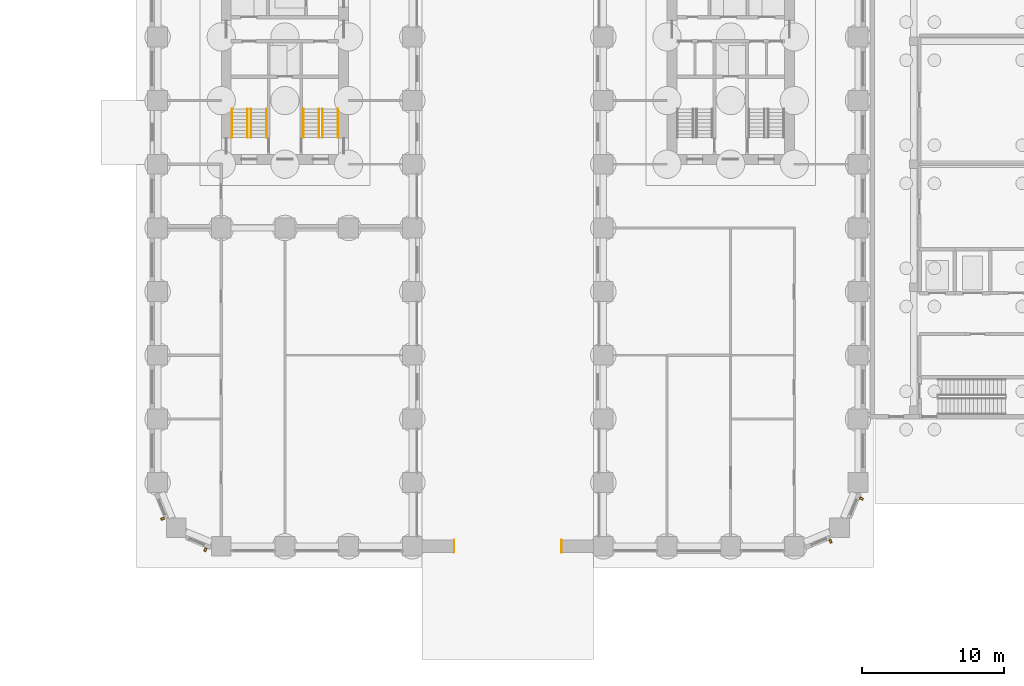
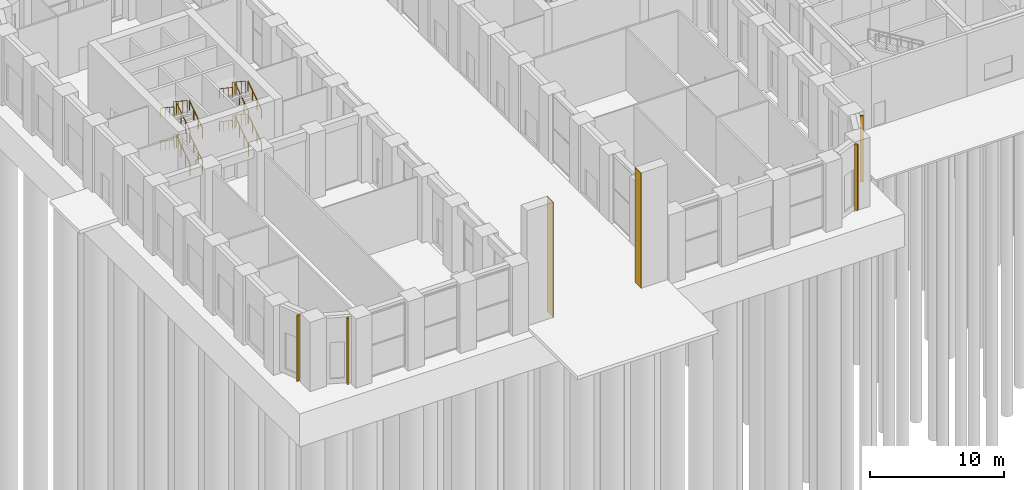
# One storey, part 24 of 31: 16 railings, 4 shading devices, 2 coverings.
"""IFC4 building model written with IfcOpenShell, lengths in metres."""

import ifcopenshell
import ifcopenshell.guid

model = None  # the IFC model being written
_history = None  # IfcOwnerHistory: only IFC2X3 demands one
_inside = {}  # id of a spatial element -> (the spatial element, [elements in it])
_under = {}  # id of a project, library or spatial element -> (it, [spatial elements below it])
_declared = {}  # id of a project -> (the project, [libraries it declares])
_typed = {}  # id of a type object -> (the type object, [elements of that type])
_made_of = {}  # id of a material, layer set ... -> (it, [elements and type objects made of it])


def new_model(schema):
    """Start an empty IFC model of exactly this schema.

    Asked for "IFC4X3", IfcOpenShell would pick the latest addendum, in which some entities
    have other attributes; the version numbers below select the first issue.
    IFC2X3 requires an IfcOwnerHistory on every rooted entity: one is made here for all.
    """
    global model, _history
    if schema == "IFC4X3":
        model = ifcopenshell.file(schema_version=(4, 3, 0, 0))
    else:
        model = ifcopenshell.file(schema=schema)
    _inside.clear()
    _under.clear()
    _declared.clear()
    _typed.clear()
    _made_of.clear()
    _history = None
    if model.schema == "IFC2X3":
        org = make("IfcOrganization", Name="unknown")
        user = make(
            "IfcPersonAndOrganization",
            ThePerson=make("IfcPerson", FamilyName="unknown"),
            TheOrganization=org,
        )
        app = make(
            "IfcApplication",
            ApplicationDeveloper=org,
            Version="unknown",
            ApplicationFullName="unknown",
            ApplicationIdentifier="unknown",
        )
        _history = make(
            "IfcOwnerHistory",
            OwningUser=user,
            OwningApplication=app,
            ChangeAction="ADDED",
            CreationDate=0,
        )
    return model


def make(cls, **values):
    """One entity of the class cls with the attributes given. An attribute that is None is left unset."""
    return model.create_entity(
        cls, **{name: value for name, value in values.items() if value is not None}
    )


def rooted(cls, **values):
    """An entity with a GlobalId (a new one), such as an element, a storey or a relation."""
    return make(cls, GlobalId=ifcopenshell.guid.new(), OwnerHistory=_history, **values)


def si_unit(unit_type, name, prefix=None):
    """IfcSIUnit, for example si_unit("LENGTHUNIT", "METRE", prefix="MILLI")."""
    return make("IfcSIUnit", UnitType=unit_type, Prefix=prefix, Name=name)


def assignment(units):
    """IfcUnitAssignment: the units of a project."""
    return None if units is None else make("IfcUnitAssignment", Units=units)


def point(xyz):
    """IfcCartesianPoint."""
    return None if xyz is None else make("IfcCartesianPoint", Coordinates=xyz)


def direction(xyz):
    """IfcDirection."""
    return None if xyz is None else make("IfcDirection", DirectionRatios=xyz)


def frame(location, z_axis=None, x_axis=None):
    """IfcAxis2Placement3D, a coordinate frame: its origin and axes. An axis left out is left unset."""
    return make(
        "IfcAxis2Placement3D",
        Location=point(location),
        Axis=direction(z_axis),
        RefDirection=direction(x_axis),
    )


def frame_2d(location, x_axis=None):
    """IfcAxis2Placement2D, a coordinate frame in the plane: its origin and x axis."""
    return make(
        "IfcAxis2Placement2D", Location=point(location), RefDirection=direction(x_axis)
    )


def origin():
    """The frame at (0, 0, 0) with its axes left unset."""
    return frame((0.0, 0.0, 0.0))


def origin_2d():
    """The frame at (0, 0) in the plane with its x axis left unset."""
    return frame_2d((0.0, 0.0))


def place(relative_to, where):
    """IfcLocalPlacement: puts the frame where relative to a parent placement (None: the world)."""
    return make(
        "IfcLocalPlacement", PlacementRelTo=relative_to, RelativePlacement=where
    )


def context(
    kind, dimensions, precision=None, world=None, true_north=None, identifier=None
):
    """IfcGeometricRepresentationContext, for example the 3D "Model" context."""
    return make(
        "IfcGeometricRepresentationContext",
        ContextIdentifier=identifier,
        ContextType=kind,
        CoordinateSpaceDimension=dimensions,
        Precision=precision,
        WorldCoordinateSystem=world,
        TrueNorth=true_north,
    )


def subcontext(parent, identifier, kind, view, scale=None):
    """IfcGeometricRepresentationSubContext, for example "Body" below "Model"."""
    return make(
        "IfcGeometricRepresentationSubContext",
        ContextIdentifier=identifier,
        ContextType=kind,
        ParentContext=parent,
        TargetScale=scale,
        TargetView=view,
    )


def project(units=None, contexts=None):
    """IfcProject with its units and contexts."""
    return rooted(
        "IfcProject",
        Name="project",
        RepresentationContexts=contexts,
        UnitsInContext=assignment(units),
    )


def spatial(cls, under=None, at=None, **own):
    """A site, building, storey or space (cls), placed at a placement, below another one or the project."""
    s = rooted(cls, ObjectPlacement=at, **own)
    if under is not None:
        _under.setdefault(under.id(), (under, []))[1].append(s)
    return s


def profile(cls, at=None, kind="AREA", **sizes):
    """A parametric profile (cls). Its sizes go by their IFC names, for example OverallWidth=200.0."""
    return make(cls, ProfileType=kind, Position=at, **sizes)


def rectangle(**sizes):
    """IfcRectangleProfileDef."""
    return profile("IfcRectangleProfileDef", **sizes)


def circle(**sizes):
    """IfcCircleProfileDef."""
    return profile("IfcCircleProfileDef", **sizes)


def extrude(swept, where, along, depth):
    """IfcExtrudedAreaSolid: the profile swept, set in the frame where, extruded along a direction by depth."""
    return make(
        "IfcExtrudedAreaSolid",
        SweptArea=swept,
        Position=where,
        ExtrudedDirection=direction(along),
        Depth=depth,
    )


def shape(context_of_items, identifier, shape_type, items):
    """IfcShapeRepresentation: the items that make up one representation, for example the "Body"."""
    return make(
        "IfcShapeRepresentation",
        ContextOfItems=context_of_items,
        RepresentationIdentifier=identifier,
        RepresentationType=shape_type,
        Items=items,
    )


def material(Name=None, Category=None):
    """IfcMaterial."""
    return make("IfcMaterial", Name=Name, Category=Category)


def layer(
    of_material, thickness, ventilated=None, Name=None, Category=None, Priority=None
):
    """IfcMaterialLayer: one layer of a wall or slab, of a material (None: an air gap)."""
    return make(
        "IfcMaterialLayer",
        Material=of_material,
        LayerThickness=thickness,
        IsVentilated=ventilated,
        Name=Name,
        Category=Category,
        Priority=Priority,
    )


def layer_set(layers, Name=None):
    """IfcMaterialLayerSet."""
    return make("IfcMaterialLayerSet", MaterialLayers=layers, LayerSetName=Name)


def made_of(thing, what):
    """Note that an element or type object is made of a material, layer set ...; save() writes the relation."""
    if what is not None:
        _made_of.setdefault(what.id(), (what, []))[1].append(thing)
    return thing


def type_object(cls, material=None, **own):
    """A type object (cls), such as IfcWallType, which elements share."""
    return made_of(rooted(cls, **own), material)


def element(
    cls,
    number,
    at=None,
    inside=None,
    cuts=None,
    type_object=None,
    material=None,
    context=None,
    identifier="Body",
    shape_type=None,
    held_by="IfcProductDefinitionShape",
    body=None,
    shapes=None,
    **own,
):
    """One element of the class cls, such as IfcWall. Its Tag is "e" and its number.

    at: its placement. inside: the storey or other place that contains it. cuts: it is an
    opening in that element (IfcRelVoidsElement). A single representation is given by context,
    identifier, shape_type and body (its items); several are given by shapes. held_by: the class
    of the entity that holds the representations. save() writes the other relations.
    """
    e = rooted(cls, Tag="e%d" % number, ObjectPlacement=at, **own)
    if body is not None:
        shapes = [shape(context, identifier, shape_type, body)]
    if shapes is not None:
        e.Representation = make(held_by, Representations=shapes)
    if inside is not None:
        _inside.setdefault(inside.id(), (inside, []))[1].append(e)
    if cuts is not None:
        rooted(
            "IfcRelVoidsElement", RelatingBuildingElement=cuts, RelatedOpeningElement=e
        )
    if type_object is not None:
        _typed.setdefault(type_object.id(), (type_object, []))[1].append(e)
    return made_of(e, material)


def aggregate(whole, parts):
    """IfcRelAggregates: a whole, such as a stair, and the parts it consists of."""
    return rooted("IfcRelAggregates", RelatingObject=whole, RelatedObjects=parts)


def save(model, path):
    """Write the relations noted so far, then the file.

    IfcRelAggregates (storeys below a building ...), IfcRelContainedInSpatialStructure (elements
    in a storey), IfcRelDefinesByType, IfcRelAssociatesMaterial and IfcRelDeclares: one each for
    every whole, place, type object, material and project.
    """
    for whole, parts in _under.values():
        aggregate(whole, parts)
    for where, things in _inside.values():
        rooted(
            "IfcRelContainedInSpatialStructure",
            RelatedElements=things,
            RelatingStructure=where,
        )
    for kind, things in _typed.values():
        rooted("IfcRelDefinesByType", RelatedObjects=things, RelatingType=kind)
    for what, things in _made_of.values():
        rooted("IfcRelAssociatesMaterial", RelatedObjects=things, RelatingMaterial=what)
    for by, libraries in _declared.values():
        rooted("IfcRelDeclares", RelatingContext=by, RelatedDefinitions=libraries)
    model.write(path)


model = new_model("IFC4")

# Units and contexts
model_context = context("Model", 3, precision=1e-05, world=origin(), true_north=direction((0.0, 1.0)))
body_context = subcontext(model_context, "Body", "Model", "MODEL_VIEW")
ifc_project = project(units=[si_unit("LENGTHUNIT", "METRE"), si_unit("AREAUNIT", "SQUARE_METRE"), si_unit("VOLUMEUNIT", "CUBIC_METRE"), si_unit("PLANEANGLEUNIT", "RADIAN"), si_unit("MASSUNIT", "GRAM", prefix="KILO")], contexts=[model_context])

# Site, building, storey
site_placement = place(None, origin())
site = spatial("IfcSite", under=ifc_project, at=site_placement, CompositionType="ELEMENT")
building_placement = place(site_placement, origin())
building = spatial("IfcBuilding", under=site, at=building_placement, Name="Girih Gate Residences", CompositionType="ELEMENT")
storey_placement = place(building_placement, origin())
storey = spatial("IfcBuildingStorey", under=building, at=storey_placement, Name="L00", CompositionType="ELEMENT", Elevation=0.0)

# Shading devices
ifc_material_1 = material(Name="Precast concrete C50/60", Category="concrete")
shading_device_type = type_object("IfcShadingDeviceType", Name="Corner rib 150x250", PredefinedType="USERDEFINED", material=ifc_material_1)
for number, where, z_axis, x_axis, name in (
    (1, (0.35498046875, 1.9443359375, 0.0), (0.0, 0.0, 1.0), (0.382683432365, -0.923879532511, 0.0), "Corner rib SW0000_0045.0"),
    (2, (3.376220703125, -0.238037109375, 0.0), (0.0, 0.0, 1.0), (0.923879532511, -0.382683432365, 0.0), "Corner rib SW0013_0013.0"),
    (3, (47.5556640625, 0.35498046875, 0.0), (0.0, 0.0, 1.0), (0.923879532511, 0.382683432365, 0.0), "Corner rib SE0450_0000.0"),
    (4, (49.738037109375, 3.376220703125, 0.0), (0.0, 0.0, 1.0), (0.382683432365, 0.923879532511, 0.0), "Corner rib SE0482_0013.0"),
):
    element("IfcShadingDevice", number, at=place(storey_placement, frame(where, z_axis=z_axis, x_axis=x_axis)), inside=storey, type_object=shading_device_type, Name=name, ObjectType="FIN", PredefinedType="USERDEFINED", context=body_context, shape_type="SweptSolid", body=[
        extrude(rectangle(XDim=0.14990234375, YDim=0.25, at=origin_2d()), origin(), (0.0, 0.0, 1.0), 6.0),
    ])

# Coverings
ifc_material_2 = material(Name="Glazed ceramic tile")
ifc_layer_1 = layer(ifc_material_2, 0.010009765625, Name="Tile")
ifc_material_3 = material(Name="Tile adhesive mortar")
ifc_layer_2 = layer(ifc_material_3, 0.02001953125, Name="Adhesive bed")
ifc_layer_set = layer_set([ifc_layer_1, ifc_layer_2], Name="Glazed tile lining 30")
covering_type = type_object("IfcCoveringType", Name="Glazed tile lining 30", PredefinedType="CLADDING", material=ifc_layer_set)
for number, where, z_axis, x_axis, name in (
    (5, (20.965087890625, 0.0, 0.0), (0.0, 0.0, 1.0), (1.0, 0.0, 0.0), "Glazed tile lining S jamb 1"),
    (6, (28.534912109375, 0.0, 0.0), (0.0, 0.0, 1.0), (1.0, 0.0, 0.0), "Glazed tile lining S jamb 2"),
):
    element("IfcCovering", number, at=place(storey_placement, frame(where, z_axis=z_axis, x_axis=x_axis)), inside=storey, type_object=covering_type, Name=name, PredefinedType="CLADDING", context=body_context, shape_type="SweptSolid", body=[
        extrude(rectangle(XDim=0.030029296875, YDim=0.89990234375, at=origin_2d()), origin(), (0.0, 0.0, 1.0), 10.5),
    ])

# Railings
ifc_material_4 = material(Name="Stainless steel", Category="steel")
railing_type_1 = type_object("IfcRailingType", Name="Stair guard 1100", PredefinedType="GUARDRAIL", material=ifc_material_4)
railing_1_placement = place(storey_placement, frame((6.60009765625, 28.89990234375, 0.166748046875)))
element("IfcRailing", 7, at=railing_1_placement, inside=storey, type_object=railing_type_1, Name="L00 ST-W1 stair guard 1", PredefinedType="GUARDRAIL", context=body_context, shape_type="SweptSolid", body=[
    extrude(circle(Radius=0.02392578125, at=origin_2d()), frame((0.0, 0.0, 1.076171875), z_axis=(0.0, 0.832065920246, 0.554676756648), x_axis=(-1.0, 0.0, 0.0)), (0.0, 0.0, 1.0), 2.403564453125),
    extrude(circle(Radius=0.02099609375, at=origin_2d()), origin(), (0.0, 0.0, 1.0), 1.052001953125),
    extrude(circle(Radius=0.02099609375, at=origin_2d()), frame((0.0, 0.666748046875, 0.4443359375)), (0.0, 0.0, 1.0), 1.052001953125),
    extrude(circle(Radius=0.02099609375, at=origin_2d()), frame((0.0, 1.333251953125, 0.888916015625)), (0.0, 0.0, 1.0), 1.052001953125),
    extrude(circle(Radius=0.02099609375, at=origin_2d()), frame((0.0, 2.0, 1.333251953125)), (0.0, 0.0, 1.0), 1.052001953125),
])
railing_2_placement = place(storey_placement, frame((6.35009765625, 30.89990234375, 1.666748046875)))
element("IfcRailing", 8, at=railing_2_placement, inside=storey, type_object=railing_type_1, Name="L00 ST-W1 stair guard 2", PredefinedType="GUARDRAIL", context=body_context, shape_type="SweptSolid", body=[
    extrude(circle(Radius=0.02392578125, at=origin_2d()), frame((0.0, 0.0, 1.076171875), z_axis=(0.0, -0.832065920246, 0.554676756648), x_axis=(1.0, 0.0, 0.0)), (0.0, 0.0, 1.0), 2.403564453125),
    extrude(circle(Radius=0.02099609375, at=origin_2d()), origin(), (0.0, 0.0, 1.0), 1.052001953125),
    extrude(circle(Radius=0.02099609375, at=origin_2d()), frame((0.0, -0.666748046875, 0.4443359375)), (0.0, 0.0, 1.0), 1.052001953125),
    extrude(circle(Radius=0.02099609375, at=origin_2d()), frame((0.0, -1.333251953125, 0.888916015625)), (0.0, 0.0, 1.0), 1.052001953125),
    extrude(circle(Radius=0.02099609375, at=origin_2d()), frame((0.0, -2.0, 1.333251953125)), (0.0, 0.0, 1.0), 1.052001953125),
])
railing_3_placement = place(storey_placement, frame((6.60009765625, 28.89990234375, 3.166748046875)))
element("IfcRailing", 9, at=railing_3_placement, inside=storey, type_object=railing_type_1, Name="L00 ST-W1 stair guard 3", PredefinedType="GUARDRAIL", context=body_context, shape_type="SweptSolid", body=[
    extrude(circle(Radius=0.02392578125, at=origin_2d()), frame((0.0, 0.0, 1.076171875), z_axis=(0.0, 0.832065920246, 0.554676756648), x_axis=(-1.0, 0.0, 0.0)), (0.0, 0.0, 1.0), 2.403564453125),
    extrude(circle(Radius=0.02099609375, at=origin_2d()), origin(), (0.0, 0.0, 1.0), 1.052001953125),
    extrude(circle(Radius=0.02099609375, at=origin_2d()), frame((0.0, 0.666748046875, 0.4443359375)), (0.0, 0.0, 1.0), 1.052001953125),
    extrude(circle(Radius=0.02099609375, at=origin_2d()), frame((0.0, 1.333251953125, 0.888916015625)), (0.0, 0.0, 1.0), 1.052001953125),
    extrude(circle(Radius=0.02099609375, at=origin_2d()), frame((0.0, 2.0, 1.333251953125)), (0.0, 0.0, 1.0), 1.052001953125),
])
railing_4_placement = place(storey_placement, frame((6.35009765625, 30.89990234375, 4.666748046875)))
element("IfcRailing", 10, at=railing_4_placement, inside=storey, type_object=railing_type_1, Name="L00 ST-W1 stair guard 4", PredefinedType="GUARDRAIL", context=body_context, shape_type="SweptSolid", body=[
    extrude(circle(Radius=0.02392578125, at=origin_2d()), frame((0.0, 0.0, 1.076171875), z_axis=(0.0, -0.832065920246, 0.554676756648), x_axis=(1.0, 0.0, 0.0)), (0.0, 0.0, 1.0), 2.403564453125),
    extrude(circle(Radius=0.02099609375, at=origin_2d()), origin(), (0.0, 0.0, 1.0), 1.052001953125),
    extrude(circle(Radius=0.02099609375, at=origin_2d()), frame((0.0, -0.666748046875, 0.4443359375)), (0.0, 0.0, 1.0), 1.052001953125),
    extrude(circle(Radius=0.02099609375, at=origin_2d()), frame((0.0, -1.333251953125, 0.888916015625)), (0.0, 0.0, 1.0), 1.052001953125),
    extrude(circle(Radius=0.02099609375, at=origin_2d()), frame((0.0, -2.0, 1.333251953125)), (0.0, 0.0, 1.0), 1.052001953125),
])
railing_5_placement = place(storey_placement, frame((11.64990234375, 28.89990234375, 0.166748046875)))
element("IfcRailing", 11, at=railing_5_placement, inside=storey, type_object=railing_type_1, Name="L00 ST-W2 stair guard 1", PredefinedType="GUARDRAIL", context=body_context, shape_type="SweptSolid", body=[
    extrude(circle(Radius=0.02392578125, at=origin_2d()), frame((0.0, 0.0, 1.076171875), z_axis=(0.0, 0.832065920246, 0.554676756648), x_axis=(-1.0, 0.0, 0.0)), (0.0, 0.0, 1.0), 2.403564453125),
    extrude(circle(Radius=0.02099609375, at=origin_2d()), origin(), (0.0, 0.0, 1.0), 1.052001953125),
    extrude(circle(Radius=0.02099609375, at=origin_2d()), frame((0.0, 0.666748046875, 0.4443359375)), (0.0, 0.0, 1.0), 1.052001953125),
    extrude(circle(Radius=0.02099609375, at=origin_2d()), frame((0.0, 1.333251953125, 0.888916015625)), (0.0, 0.0, 1.0), 1.052001953125),
    extrude(circle(Radius=0.02099609375, at=origin_2d()), frame((0.0, 2.0, 1.333251953125)), (0.0, 0.0, 1.0), 1.052001953125),
])
railing_6_placement = place(storey_placement, frame((11.39990234375, 30.89990234375, 1.666748046875)))
element("IfcRailing", 12, at=railing_6_placement, inside=storey, type_object=railing_type_1, Name="L00 ST-W2 stair guard 2", PredefinedType="GUARDRAIL", context=body_context, shape_type="SweptSolid", body=[
    extrude(circle(Radius=0.02392578125, at=origin_2d()), frame((0.0, 0.0, 1.076171875), z_axis=(0.0, -0.832065920246, 0.554676756648), x_axis=(1.0, 0.0, 0.0)), (0.0, 0.0, 1.0), 2.403564453125),
    extrude(circle(Radius=0.02099609375, at=origin_2d()), origin(), (0.0, 0.0, 1.0), 1.052001953125),
    extrude(circle(Radius=0.02099609375, at=origin_2d()), frame((0.0, -0.666748046875, 0.4443359375)), (0.0, 0.0, 1.0), 1.052001953125),
    extrude(circle(Radius=0.02099609375, at=origin_2d()), frame((0.0, -1.333251953125, 0.888916015625)), (0.0, 0.0, 1.0), 1.052001953125),
    extrude(circle(Radius=0.02099609375, at=origin_2d()), frame((0.0, -2.0, 1.333251953125)), (0.0, 0.0, 1.0), 1.052001953125),
])
railing_7_placement = place(storey_placement, frame((11.64990234375, 28.89990234375, 3.166748046875)))
element("IfcRailing", 13, at=railing_7_placement, inside=storey, type_object=railing_type_1, Name="L00 ST-W2 stair guard 3", PredefinedType="GUARDRAIL", context=body_context, shape_type="SweptSolid", body=[
    extrude(circle(Radius=0.02392578125, at=origin_2d()), frame((0.0, 0.0, 1.076171875), z_axis=(0.0, 0.832065920246, 0.554676756648), x_axis=(-1.0, 0.0, 0.0)), (0.0, 0.0, 1.0), 2.403564453125),
    extrude(circle(Radius=0.02099609375, at=origin_2d()), origin(), (0.0, 0.0, 1.0), 1.052001953125),
    extrude(circle(Radius=0.02099609375, at=origin_2d()), frame((0.0, 0.666748046875, 0.4443359375)), (0.0, 0.0, 1.0), 1.052001953125),
    extrude(circle(Radius=0.02099609375, at=origin_2d()), frame((0.0, 1.333251953125, 0.888916015625)), (0.0, 0.0, 1.0), 1.052001953125),
    extrude(circle(Radius=0.02099609375, at=origin_2d()), frame((0.0, 2.0, 1.333251953125)), (0.0, 0.0, 1.0), 1.052001953125),
])
railing_8_placement = place(storey_placement, frame((11.39990234375, 30.89990234375, 4.666748046875)))
element("IfcRailing", 14, at=railing_8_placement, inside=storey, type_object=railing_type_1, Name="L00 ST-W2 stair guard 4", PredefinedType="GUARDRAIL", context=body_context, shape_type="SweptSolid", body=[
    extrude(circle(Radius=0.02392578125, at=origin_2d()), frame((0.0, 0.0, 1.076171875), z_axis=(0.0, -0.832065920246, 0.554676756648), x_axis=(1.0, 0.0, 0.0)), (0.0, 0.0, 1.0), 2.403564453125),
    extrude(circle(Radius=0.02099609375, at=origin_2d()), origin(), (0.0, 0.0, 1.0), 1.052001953125),
    extrude(circle(Radius=0.02099609375, at=origin_2d()), frame((0.0, -0.666748046875, 0.4443359375)), (0.0, 0.0, 1.0), 1.052001953125),
    extrude(circle(Radius=0.02099609375, at=origin_2d()), frame((0.0, -1.333251953125, 0.888916015625)), (0.0, 0.0, 1.0), 1.052001953125),
    extrude(circle(Radius=0.02099609375, at=origin_2d()), frame((0.0, -2.0, 1.333251953125)), (0.0, 0.0, 1.0), 1.052001953125),
])
railing_type_2 = type_object("IfcRailingType", Name="Stair handrail 900", PredefinedType="HANDRAIL", material=ifc_material_4)
railing_9_placement = place(storey_placement, frame((7.699951171875, 28.89990234375, 0.166748046875)))
element("IfcRailing", 15, at=railing_9_placement, inside=storey, type_object=railing_type_2, Name="L00 ST-W1 stair handrail 1", PredefinedType="HANDRAIL", context=body_context, shape_type="SweptSolid", body=[
    extrude(circle(Radius=0.02392578125, at=origin_2d()), frame((0.0, 0.0, 0.8857421875), z_axis=(0.0, 0.832065920246, 0.554676756648), x_axis=(-1.0, 0.0, 0.0)), (0.0, 0.0, 1.0), 2.403564453125),
    extrude(circle(Radius=0.02099609375, at=origin_2d()), origin(), (0.0, 0.0, 1.0), 0.86181640625),
    extrude(circle(Radius=0.02099609375, at=origin_2d()), frame((0.0, 0.666748046875, 0.4443359375)), (0.0, 0.0, 1.0), 0.86181640625),
    extrude(circle(Radius=0.02099609375, at=origin_2d()), frame((0.0, 1.333251953125, 0.888916015625)), (0.0, 0.0, 1.0), 0.86181640625),
    extrude(circle(Radius=0.02099609375, at=origin_2d()), frame((0.0, 2.0, 1.333251953125)), (0.0, 0.0, 1.0), 0.86181640625),
])
railing_10_placement = place(storey_placement, frame((5.25, 30.89990234375, 1.666748046875)))
element("IfcRailing", 16, at=railing_10_placement, inside=storey, type_object=railing_type_2, Name="L00 ST-W1 stair handrail 2", PredefinedType="HANDRAIL", context=body_context, shape_type="SweptSolid", body=[
    extrude(circle(Radius=0.02392578125, at=origin_2d()), frame((0.0, 0.0, 0.8857421875), z_axis=(0.0, -0.832065920246, 0.554676756648), x_axis=(1.0, 0.0, 0.0)), (0.0, 0.0, 1.0), 2.403564453125),
    extrude(circle(Radius=0.02099609375, at=origin_2d()), origin(), (0.0, 0.0, 1.0), 0.86181640625),
    extrude(circle(Radius=0.02099609375, at=origin_2d()), frame((0.0, -0.666748046875, 0.4443359375)), (0.0, 0.0, 1.0), 0.86181640625),
    extrude(circle(Radius=0.02099609375, at=origin_2d()), frame((0.0, -1.333251953125, 0.888916015625)), (0.0, 0.0, 1.0), 0.86181640625),
    extrude(circle(Radius=0.02099609375, at=origin_2d()), frame((0.0, -2.0, 1.333251953125)), (0.0, 0.0, 1.0), 0.86181640625),
])
railing_11_placement = place(storey_placement, frame((7.699951171875, 28.89990234375, 3.166748046875)))
element("IfcRailing", 17, at=railing_11_placement, inside=storey, type_object=railing_type_2, Name="L00 ST-W1 stair handrail 3", PredefinedType="HANDRAIL", context=body_context, shape_type="SweptSolid", body=[
    extrude(circle(Radius=0.02392578125, at=origin_2d()), frame((0.0, 0.0, 0.8857421875), z_axis=(0.0, 0.832065920246, 0.554676756648), x_axis=(-1.0, 0.0, 0.0)), (0.0, 0.0, 1.0), 2.403564453125),
    extrude(circle(Radius=0.02099609375, at=origin_2d()), origin(), (0.0, 0.0, 1.0), 0.86181640625),
    extrude(circle(Radius=0.02099609375, at=origin_2d()), frame((0.0, 0.666748046875, 0.4443359375)), (0.0, 0.0, 1.0), 0.86181640625),
    extrude(circle(Radius=0.02099609375, at=origin_2d()), frame((0.0, 1.333251953125, 0.888916015625)), (0.0, 0.0, 1.0), 0.86181640625),
    extrude(circle(Radius=0.02099609375, at=origin_2d()), frame((0.0, 2.0, 1.333251953125)), (0.0, 0.0, 1.0), 0.86181640625),
])
railing_12_placement = place(storey_placement, frame((5.25, 30.89990234375, 4.666748046875)))
element("IfcRailing", 18, at=railing_12_placement, inside=storey, type_object=railing_type_2, Name="L00 ST-W1 stair handrail 4", PredefinedType="HANDRAIL", context=body_context, shape_type="SweptSolid", body=[
    extrude(circle(Radius=0.02392578125, at=origin_2d()), frame((0.0, 0.0, 0.8857421875), z_axis=(0.0, -0.832065920246, 0.554676756648), x_axis=(1.0, 0.0, 0.0)), (0.0, 0.0, 1.0), 2.403564453125),
    extrude(circle(Radius=0.02099609375, at=origin_2d()), origin(), (0.0, 0.0, 1.0), 0.86181640625),
    extrude(circle(Radius=0.02099609375, at=origin_2d()), frame((0.0, -0.666748046875, 0.4443359375)), (0.0, 0.0, 1.0), 0.86181640625),
    extrude(circle(Radius=0.02099609375, at=origin_2d()), frame((0.0, -1.333251953125, 0.888916015625)), (0.0, 0.0, 1.0), 0.86181640625),
    extrude(circle(Radius=0.02099609375, at=origin_2d()), frame((0.0, -2.0, 1.333251953125)), (0.0, 0.0, 1.0), 0.86181640625),
])
railing_13_placement = place(storey_placement, frame((12.75, 28.89990234375, 0.166748046875)))
element("IfcRailing", 19, at=railing_13_placement, inside=storey, type_object=railing_type_2, Name="L00 ST-W2 stair handrail 1", PredefinedType="HANDRAIL", context=body_context, shape_type="SweptSolid", body=[
    extrude(circle(Radius=0.02392578125, at=origin_2d()), frame((0.0, 0.0, 0.8857421875), z_axis=(0.0, 0.832065920246, 0.554676756648), x_axis=(-1.0, 0.0, 0.0)), (0.0, 0.0, 1.0), 2.403564453125),
    extrude(circle(Radius=0.02099609375, at=origin_2d()), origin(), (0.0, 0.0, 1.0), 0.86181640625),
    extrude(circle(Radius=0.02099609375, at=origin_2d()), frame((0.0, 0.666748046875, 0.4443359375)), (0.0, 0.0, 1.0), 0.86181640625),
    extrude(circle(Radius=0.02099609375, at=origin_2d()), frame((0.0, 1.333251953125, 0.888916015625)), (0.0, 0.0, 1.0), 0.86181640625),
    extrude(circle(Radius=0.02099609375, at=origin_2d()), frame((0.0, 2.0, 1.333251953125)), (0.0, 0.0, 1.0), 0.86181640625),
])
railing_14_placement = place(storey_placement, frame((10.300048828125, 30.89990234375, 1.666748046875)))
element("IfcRailing", 20, at=railing_14_placement, inside=storey, type_object=railing_type_2, Name="L00 ST-W2 stair handrail 2", PredefinedType="HANDRAIL", context=body_context, shape_type="SweptSolid", body=[
    extrude(circle(Radius=0.02392578125, at=origin_2d()), frame((0.0, 0.0, 0.8857421875), z_axis=(0.0, -0.832065920246, 0.554676756648), x_axis=(1.0, 0.0, 0.0)), (0.0, 0.0, 1.0), 2.403564453125),
    extrude(circle(Radius=0.02099609375, at=origin_2d()), origin(), (0.0, 0.0, 1.0), 0.86181640625),
    extrude(circle(Radius=0.02099609375, at=origin_2d()), frame((0.0, -0.666748046875, 0.4443359375)), (0.0, 0.0, 1.0), 0.86181640625),
    extrude(circle(Radius=0.02099609375, at=origin_2d()), frame((0.0, -1.333251953125, 0.888916015625)), (0.0, 0.0, 1.0), 0.86181640625),
    extrude(circle(Radius=0.02099609375, at=origin_2d()), frame((0.0, -2.0, 1.333251953125)), (0.0, 0.0, 1.0), 0.86181640625),
])
railing_15_placement = place(storey_placement, frame((12.75, 28.89990234375, 3.166748046875)))
element("IfcRailing", 21, at=railing_15_placement, inside=storey, type_object=railing_type_2, Name="L00 ST-W2 stair handrail 3", PredefinedType="HANDRAIL", context=body_context, shape_type="SweptSolid", body=[
    extrude(circle(Radius=0.02392578125, at=origin_2d()), frame((0.0, 0.0, 0.8857421875), z_axis=(0.0, 0.832065920246, 0.554676756648), x_axis=(-1.0, 0.0, 0.0)), (0.0, 0.0, 1.0), 2.403564453125),
    extrude(circle(Radius=0.02099609375, at=origin_2d()), origin(), (0.0, 0.0, 1.0), 0.86181640625),
    extrude(circle(Radius=0.02099609375, at=origin_2d()), frame((0.0, 0.666748046875, 0.4443359375)), (0.0, 0.0, 1.0), 0.86181640625),
    extrude(circle(Radius=0.02099609375, at=origin_2d()), frame((0.0, 1.333251953125, 0.888916015625)), (0.0, 0.0, 1.0), 0.86181640625),
    extrude(circle(Radius=0.02099609375, at=origin_2d()), frame((0.0, 2.0, 1.333251953125)), (0.0, 0.0, 1.0), 0.86181640625),
])
railing_16_placement = place(storey_placement, frame((10.300048828125, 30.89990234375, 4.666748046875)))
element("IfcRailing", 22, at=railing_16_placement, inside=storey, type_object=railing_type_2, Name="L00 ST-W2 stair handrail 4", PredefinedType="HANDRAIL", context=body_context, shape_type="SweptSolid", body=[
    extrude(circle(Radius=0.02392578125, at=origin_2d()), frame((0.0, 0.0, 0.8857421875), z_axis=(0.0, -0.832065920246, 0.554676756648), x_axis=(1.0, 0.0, 0.0)), (0.0, 0.0, 1.0), 2.403564453125),
    extrude(circle(Radius=0.02099609375, at=origin_2d()), origin(), (0.0, 0.0, 1.0), 0.86181640625),
    extrude(circle(Radius=0.02099609375, at=origin_2d()), frame((0.0, -0.666748046875, 0.4443359375)), (0.0, 0.0, 1.0), 0.86181640625),
    extrude(circle(Radius=0.02099609375, at=origin_2d()), frame((0.0, -1.333251953125, 0.888916015625)), (0.0, 0.0, 1.0), 0.86181640625),
    extrude(circle(Radius=0.02099609375, at=origin_2d()), frame((0.0, -2.0, 1.333251953125)), (0.0, 0.0, 1.0), 0.86181640625),
])

save(model, "model.ifc")
